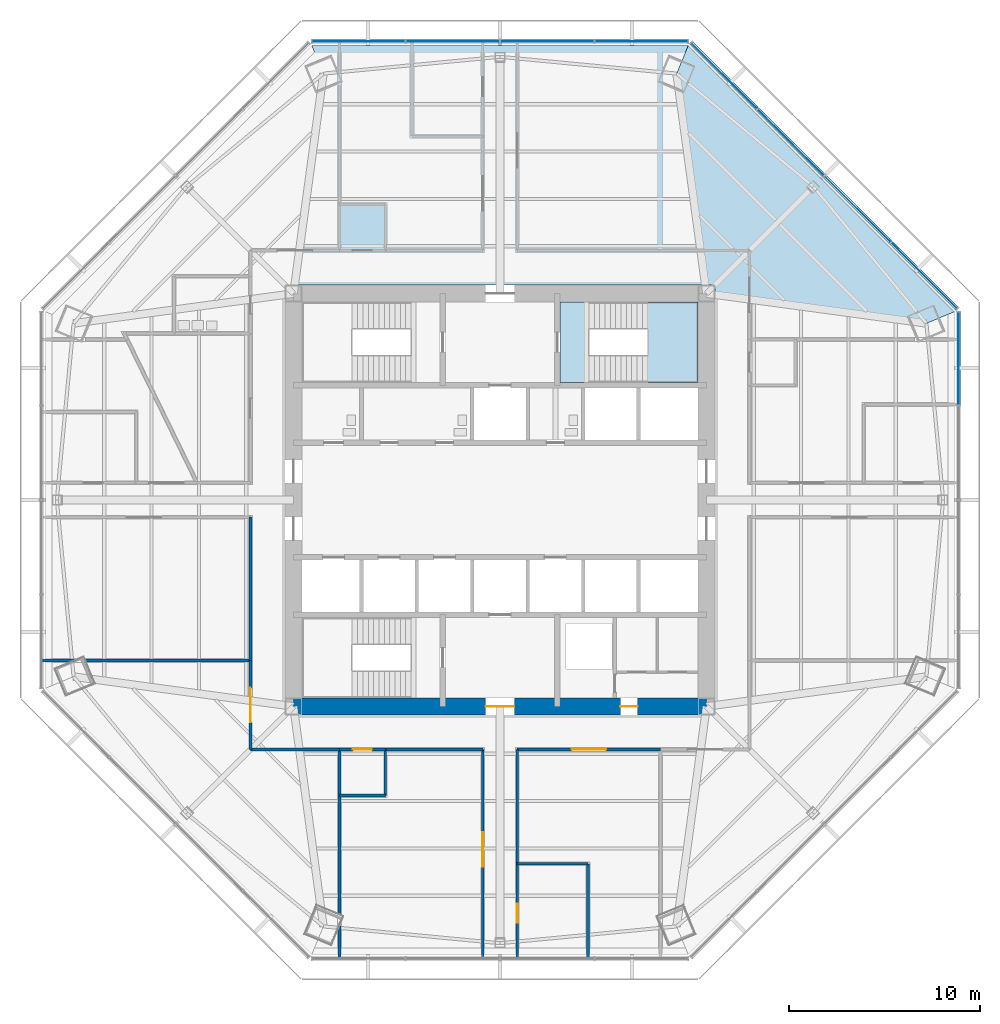
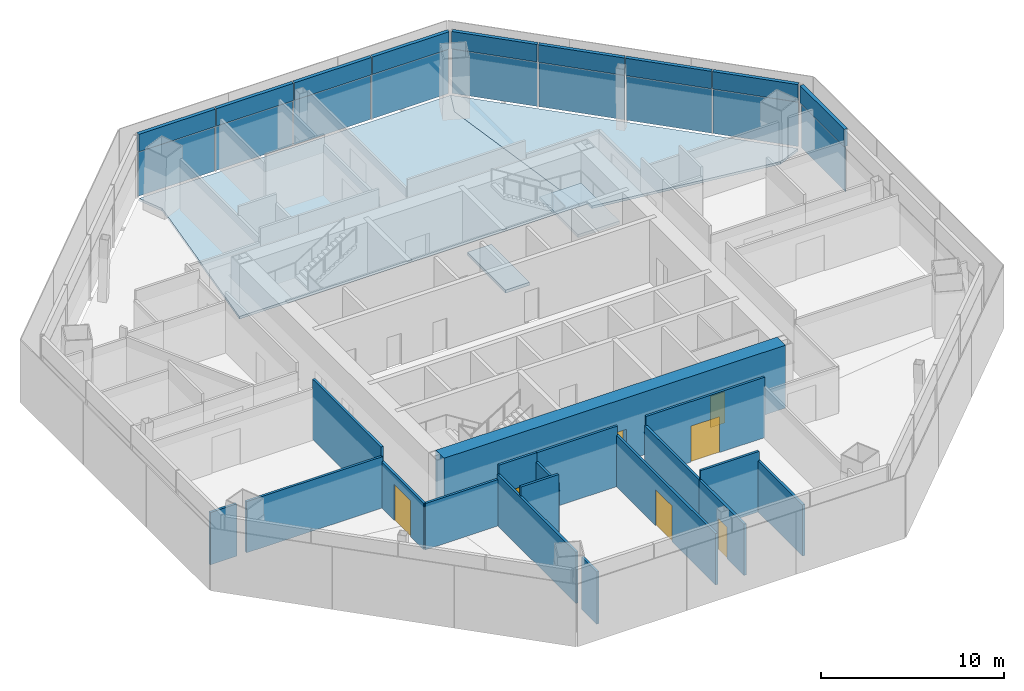
# One storey, part 8 of 14: 18 plates, 18 walls, 7 doors, 4 slabs, 7 openings, 4 elements without a shape of their own.
"""IFC4 building model written with IfcOpenShell, lengths in metres."""

from ifc_helpers import new_model, si_unit, direction, frame, frame_2d, origin, origin_2d, place, context, subcontext, project, spatial, polyline, rectangle, outline, extrude, source, transform, mapped, material, layer, layer_set, type_object, type_shapes, element, fill, aggregate, save


model = new_model("IFC4")

# Units and contexts
model_context = context("Model", 3, precision=1e-05, world=origin(), true_north=direction((0.0, 1.0)))
body_context = subcontext(model_context, "Body", "Model", "MODEL_VIEW")
ifc_project = project(units=[si_unit("LENGTHUNIT", "METRE"), si_unit("AREAUNIT", "SQUARE_METRE"), si_unit("VOLUMEUNIT", "CUBIC_METRE"), si_unit("PLANEANGLEUNIT", "RADIAN"), si_unit("MASSUNIT", "GRAM", prefix="KILO")], contexts=[model_context])

# Site, building, storey
site_placement = place(None, origin())
site = spatial("IfcSite", under=ifc_project, at=site_placement, CompositionType="ELEMENT")
building_placement = place(site_placement, origin())
building = spatial("IfcBuilding", under=site, at=building_placement, Name="Mashrafa Tower", CompositionType="ELEMENT")
storey_placement = place(building_placement, frame((0.0, 0.0, 142.800048828125)))
storey = spatial("IfcBuildingStorey", under=building, at=storey_placement, Name="L32", CompositionType="ELEMENT", Elevation=142.800048828125)

# Slabs
ifc_material_1 = material(Name="Concrete C35/45", Category="concrete")
ifc_layer_1 = layer(ifc_material_1, 0.1650390625)
ifc_layer_set_1 = layer_set([ifc_layer_1], Name="Floor slab 165")
slab_type_1 = type_object("IfcSlabType", Name="Floor slab 165", PredefinedType="FLOOR", material=ifc_layer_set_1)
slab_1_placement = place(storey_placement, frame((0.0, 0.0, -0.1650390625)))
element("IfcSlab", 1, at=slab_1_placement, inside=storey, type_object=slab_type_1, Name="Floor slab L32 north-east bay", PredefinedType="FLOOR", context=body_context, shape_type="SweptSolid", body=[
    extrude(outline(polyline([(9.847900390625, 23.775146484375), (23.775146484375, 9.847900390625), (23.775146484375, 9.847900390625), (22.301513671875, 9.237548828125), (11.25, 10.73876953125), (11.25, 11.25), (10.73876953125, 11.25), (9.237548828125, 22.301513671875), (9.847900390625, 23.775146484375), (9.847900390625, 23.775146484375)])), origin(), (0.0, 0.0, 1.0), 0.1650390625),
])
slab_2_placement = place(storey_placement, frame((0.0, 0.0, -0.1650390625)))
element("IfcSlab", 2, at=slab_2_placement, inside=storey, type_object=slab_type_1, Name="Floor slab L32 north bay", PredefinedType="FLOOR", context=body_context, shape_type="SweptSolid", body=[
    extrude(outline(polyline([(9.847900390625, 23.775146484375), (9.237548828125, 22.301513671875), (10.73876953125, 11.25), (-10.73876953125, 11.25), (-9.237548828125, 22.301513671875), (-9.847900390625, 23.775146484375), (9.847900390625, 23.775146484375)])), origin(), (0.0, 0.0, 1.0), 0.1650390625),
])

# Stair, slabs
ifc_material_2 = material(Name="Exit stair 1400")
stair_type = type_object("IfcStairType", Name="Exit stair 1400", PredefinedType="HALF_TURN_STAIR", material=ifc_material_2)
stair_placement = place(storey_placement, origin())
stair = element("IfcStair", 3, at=stair_placement, inside=storey, type_object=stair_type, Name="Stair S2 L32", PredefinedType="HALF_TURN_STAIR")
ifc_material_3 = material(Name="Concrete C32/40", Category="concrete")
ifc_layer_2 = layer(ifc_material_3, 0.199951171875)
ifc_layer_set_2 = layer_set([ifc_layer_2], Name="Stair landing 200")
slab_type_2 = type_object("IfcSlabType", Name="Stair landing 200", PredefinedType="LANDING", material=ifc_layer_set_2)
slab_3_placement = place(storey_placement, frame((0.0, 0.0, -0.199951171875)))
slab_3 = element("IfcSlab", 4, at=slab_3_placement, type_object=slab_type_2, Name="S2 landing 1", PredefinedType="LANDING", context=body_context, shape_type="SweptSolid", body=[
    extrude(outline(polyline([(3.14990234375, 6.14990234375), (4.659912109375, 6.14990234375), (4.659912109375, 10.35009765625), (3.14990234375, 10.35009765625), (3.14990234375, 6.14990234375)])), origin(), (0.0, 0.0, 1.0), 0.199951171875),
])
slab_4_placement = place(storey_placement, frame((0.0, 0.0, 1.89990234375)))
slab_4 = element("IfcSlab", 5, at=slab_4_placement, type_object=slab_type_2, Name="S2 landing 2", PredefinedType="LANDING", context=body_context, shape_type="SweptSolid", body=[
    extrude(outline(polyline([(7.719970703125, 6.14990234375), (10.35009765625, 6.14990234375), (10.35009765625, 10.35009765625), (7.719970703125, 10.35009765625), (7.719970703125, 6.14990234375)])), origin(), (0.0, 0.0, 1.0), 0.199951171875),
])
aggregate(stair, [slab_3, slab_4])

# Curtain wall, plate
ifc_material_4 = material(Name="Unitised aluminium curtain wall", Category="aluminium")
curtain_wall_type = type_object("IfcCurtainWallType", Name="Office curtain wall, zone 2 CW-B 225 deep", PredefinedType="NOTDEFINED", material=ifc_material_4)
curtain_wall_1_placement = place(storey_placement, origin())
curtain_wall_1 = element("IfcCurtainWall", 6, at=curtain_wall_1_placement, inside=storey, type_object=curtain_wall_type, Name="Office curtain wall, zone 2 L32 east", PredefinedType="NOTDEFINED")
ifc_material_5 = material(Name="Insulated double glazing, low-e, neutral", Category="glass")
ifc_layer_3 = layer(ifc_material_5, 0.028076171875)
ifc_layer_set_3 = layer_set([ifc_layer_3], Name="Vision panel CW-B 28")
plate_type_1 = type_object("IfcPlateType", Name="Vision panel CW-B 28", PredefinedType="CURTAIN_PANEL", material=ifc_layer_set_3)
shared_shape_1 = source(origin(), body_context, "Body", "SweptSolid", [
    extrude(rectangle(XDim=4.839599609375, YDim=0.028076171875, at=origin_2d()), origin(), (0.0, 0.0, 1.0), 2.9599609375),
])
plate_1_placement = place(storey_placement, frame((23.97509765625, 7.389404296875, 0.0), z_axis=(0.0, 0.0, 1.0), x_axis=(0.0, 1.0, 0.0)))
plate_1 = element("IfcPlate", 7, at=plate_1_placement, type_object=plate_type_1, Name="CW-B vision panel 4", PredefinedType="CURTAIN_PANEL", context=body_context, shape_type="MappedRepresentation", body=[
    mapped(shared_shape_1, transform((0.0, 0.0, 0.0))),
])

# Curtain wall, plates
curtain_wall_2_placement = place(storey_placement, origin())
curtain_wall_2 = element("IfcCurtainWall", 8, at=curtain_wall_2_placement, inside=storey, type_object=curtain_wall_type, Name="Office curtain wall, zone 2 L32 north-east", PredefinedType="NOTDEFINED")
plate_2_placement = place(storey_placement, frame((22.177978515625, 11.727783203125, 0.0), z_axis=(0.0, 0.0, 1.0), x_axis=(-0.707106781187, 0.707106781187, 0.0)))
plate_2 = element("IfcPlate", 9, at=plate_2_placement, type_object=plate_type_1, Name="CW-B vision panel 1", PredefinedType="CURTAIN_PANEL", context=body_context, shape_type="MappedRepresentation", body=[
    mapped(shared_shape_1, transform((0.0, 0.0, 0.0))),
])
plate_3_placement = place(storey_placement, frame((11.727783203125, 22.177978515625, 0.0), z_axis=(0.0, 0.0, 1.0), x_axis=(-0.707106781187, 0.707106781187, 0.0)))
plate_3 = element("IfcPlate", 10, at=plate_3_placement, type_object=plate_type_1, Name="CW-B vision panel 4", PredefinedType="CURTAIN_PANEL", context=body_context, shape_type="MappedRepresentation", body=[
    mapped(shared_shape_1, transform((0.0, 0.0, 0.0))),
])

curtain_wall_3_placement = place(storey_placement, origin())
curtain_wall_3 = element("IfcCurtainWall", 11, at=curtain_wall_3_placement, inside=storey, type_object=curtain_wall_type, Name="Office curtain wall, zone 2 L32 north", PredefinedType="NOTDEFINED")
plate_4_placement = place(storey_placement, frame((7.389404296875, 23.97509765625, 0.0), z_axis=(0.0, 0.0, 1.0), x_axis=(-1.0, 0.0, 0.0)))
plate_4 = element("IfcPlate", 12, at=plate_4_placement, type_object=plate_type_1, Name="CW-B vision panel 1", PredefinedType="CURTAIN_PANEL", context=body_context, shape_type="MappedRepresentation", body=[
    mapped(shared_shape_1, transform((0.0, 0.0, 0.0))),
])
plate_5_placement = place(storey_placement, frame((-7.389404296875, 23.97509765625, 0.0), z_axis=(0.0, 0.0, 1.0), x_axis=(-1.0, 0.0, 0.0)))
plate_5 = element("IfcPlate", 13, at=plate_5_placement, type_object=plate_type_1, Name="CW-B vision panel 4", PredefinedType="CURTAIN_PANEL", context=body_context, shape_type="MappedRepresentation", body=[
    mapped(shared_shape_1, transform((0.0, 0.0, 0.0))),
])

# Plate
ifc_material_6 = material(Name="Insulated aluminium spandrel panel", Category="aluminium")
ifc_layer_4 = layer(ifc_material_6, 0.219970703125)
ifc_layer_set_4 = layer_set([ifc_layer_4], Name="Spandrel panel CW-B 220")
plate_type_2 = type_object("IfcPlateType", Name="Spandrel panel CW-B 220", PredefinedType="CURTAIN_PANEL", material=ifc_layer_set_4)
shared_shape_2 = source(origin(), body_context, "Body", "SweptSolid", [
    extrude(rectangle(XDim=4.839599609375, YDim=0.219970703125, at=origin_2d()), origin(), (0.0, 0.0, 1.0), 1.159912109375),
])
plate_6_placement = place(storey_placement, frame((23.97509765625, 7.389404296875, 3.0400390625), z_axis=(0.0, 0.0, 1.0), x_axis=(0.0, 1.0, 0.0)))
plate_6 = element("IfcPlate", 14, at=plate_6_placement, type_object=plate_type_2, Name="CW-B spandrel panel 4", PredefinedType="CURTAIN_PANEL", context=body_context, shape_type="MappedRepresentation", body=[
    mapped(shared_shape_2, transform((0.0, 0.0, 0.0))),
])

aggregate(curtain_wall_1, [plate_1, plate_6])

plate_7_placement = place(storey_placement, frame((22.177978515625, 11.727783203125, 3.0400390625), z_axis=(0.0, 0.0, 1.0), x_axis=(-0.707106781187, 0.707106781187, 0.0)))
plate_7 = element("IfcPlate", 15, at=plate_7_placement, type_object=plate_type_2, Name="CW-B spandrel panel 1", PredefinedType="CURTAIN_PANEL", context=body_context, shape_type="MappedRepresentation", body=[
    mapped(shared_shape_2, transform((0.0, 0.0, 0.0))),
])

plate_8_placement = place(storey_placement, frame((11.727783203125, 22.177978515625, 3.0400390625), z_axis=(0.0, 0.0, 1.0), x_axis=(-0.707106781187, 0.707106781187, 0.0)))
plate_8 = element("IfcPlate", 16, at=plate_8_placement, type_object=plate_type_2, Name="CW-B spandrel panel 4", PredefinedType="CURTAIN_PANEL", context=body_context, shape_type="MappedRepresentation", body=[
    mapped(shared_shape_2, transform((0.0, 0.0, 0.0))),
])

plate_9_placement = place(storey_placement, frame((7.389404296875, 23.97509765625, 3.0400390625), z_axis=(0.0, 0.0, 1.0), x_axis=(-1.0, 0.0, 0.0)))
plate_9 = element("IfcPlate", 17, at=plate_9_placement, type_object=plate_type_2, Name="CW-B spandrel panel 1", PredefinedType="CURTAIN_PANEL", context=body_context, shape_type="MappedRepresentation", body=[
    mapped(shared_shape_2, transform((0.0, 0.0, 0.0))),
])

plate_10_placement = place(storey_placement, frame((-7.389404296875, 23.97509765625, 3.0400390625), z_axis=(0.0, 0.0, 1.0), x_axis=(-1.0, 0.0, 0.0)))
plate_10 = element("IfcPlate", 18, at=plate_10_placement, type_object=plate_type_2, Name="CW-B spandrel panel 4", PredefinedType="CURTAIN_PANEL", context=body_context, shape_type="MappedRepresentation", body=[
    mapped(shared_shape_2, transform((0.0, 0.0, 0.0))),
])

shared_shape_3 = source(origin(), body_context, "Body", "SweptSolid", [
    extrude(rectangle(XDim=4.8720703125, YDim=0.028076171875, at=origin_2d()), origin(), (0.0, 0.0, 1.0), 2.9599609375),
])
type_shapes(plate_type_1, [shared_shape_1, shared_shape_3])
plate_11_placement = place(storey_placement, frame((18.698486328125, 15.20751953125, 0.0), z_axis=(0.0, 0.0, 1.0), x_axis=(-0.707106781187, 0.707106781187, 0.0)))
plate_11 = element("IfcPlate", 19, at=plate_11_placement, type_object=plate_type_1, Name="CW-B vision panel 2", PredefinedType="CURTAIN_PANEL", context=body_context, shape_type="MappedRepresentation", body=[
    mapped(shared_shape_3, transform((0.0, 0.0, 0.0))),
])

plate_12_placement = place(storey_placement, frame((15.20751953125, 18.698486328125, 0.0), z_axis=(0.0, 0.0, 1.0), x_axis=(-0.707106781187, 0.707106781187, 0.0)))
plate_12 = element("IfcPlate", 20, at=plate_12_placement, type_object=plate_type_1, Name="CW-B vision panel 3", PredefinedType="CURTAIN_PANEL", context=body_context, shape_type="MappedRepresentation", body=[
    mapped(shared_shape_3, transform((0.0, 0.0, 0.0))),
])

plate_13_placement = place(storey_placement, frame((2.468505859375, 23.97509765625, 0.0), z_axis=(0.0, 0.0, 1.0), x_axis=(-1.0, 0.0, 0.0)))
plate_13 = element("IfcPlate", 21, at=plate_13_placement, type_object=plate_type_1, Name="CW-B vision panel 2", PredefinedType="CURTAIN_PANEL", context=body_context, shape_type="MappedRepresentation", body=[
    mapped(shared_shape_3, transform((0.0, 0.0, 0.0))),
])

plate_14_placement = place(storey_placement, frame((-2.468505859375, 23.97509765625, 0.0), z_axis=(0.0, 0.0, 1.0), x_axis=(-1.0, 0.0, 0.0)))
plate_14 = element("IfcPlate", 22, at=plate_14_placement, type_object=plate_type_1, Name="CW-B vision panel 3", PredefinedType="CURTAIN_PANEL", context=body_context, shape_type="MappedRepresentation", body=[
    mapped(shared_shape_3, transform((0.0, 0.0, 0.0))),
])

shared_shape_4 = source(origin(), body_context, "Body", "SweptSolid", [
    extrude(rectangle(XDim=4.8720703125, YDim=0.219970703125, at=origin_2d()), origin(), (0.0, 0.0, 1.0), 1.159912109375),
])
type_shapes(plate_type_2, [shared_shape_2, shared_shape_4])
plate_15_placement = place(storey_placement, frame((18.698486328125, 15.20751953125, 3.0400390625), z_axis=(0.0, 0.0, 1.0), x_axis=(-0.707106781187, 0.707106781187, 0.0)))
plate_15 = element("IfcPlate", 23, at=plate_15_placement, type_object=plate_type_2, Name="CW-B spandrel panel 2", PredefinedType="CURTAIN_PANEL", context=body_context, shape_type="MappedRepresentation", body=[
    mapped(shared_shape_4, transform((0.0, 0.0, 0.0))),
])

plate_16_placement = place(storey_placement, frame((15.20751953125, 18.698486328125, 3.0400390625), z_axis=(0.0, 0.0, 1.0), x_axis=(-0.707106781187, 0.707106781187, 0.0)))
plate_16 = element("IfcPlate", 24, at=plate_16_placement, type_object=plate_type_2, Name="CW-B spandrel panel 3", PredefinedType="CURTAIN_PANEL", context=body_context, shape_type="MappedRepresentation", body=[
    mapped(shared_shape_4, transform((0.0, 0.0, 0.0))),
])

aggregate(curtain_wall_2, [plate_2, plate_7, plate_11, plate_15, plate_12, plate_16, plate_3, plate_8])

plate_17_placement = place(storey_placement, frame((2.468505859375, 23.97509765625, 3.0400390625), z_axis=(0.0, 0.0, 1.0), x_axis=(-1.0, 0.0, 0.0)))
plate_17 = element("IfcPlate", 25, at=plate_17_placement, type_object=plate_type_2, Name="CW-B spandrel panel 2", PredefinedType="CURTAIN_PANEL", context=body_context, shape_type="MappedRepresentation", body=[
    mapped(shared_shape_4, transform((0.0, 0.0, 0.0))),
])

plate_18_placement = place(storey_placement, frame((-2.468505859375, 23.97509765625, 3.0400390625), z_axis=(0.0, 0.0, 1.0), x_axis=(-1.0, 0.0, 0.0)))
plate_18 = element("IfcPlate", 26, at=plate_18_placement, type_object=plate_type_2, Name="CW-B spandrel panel 3", PredefinedType="CURTAIN_PANEL", context=body_context, shape_type="MappedRepresentation", body=[
    mapped(shared_shape_4, transform((0.0, 0.0, 0.0))),
])

aggregate(curtain_wall_3, [plate_4, plate_9, plate_13, plate_17, plate_14, plate_18, plate_5, plate_10])

# Wall, openings, doors
ifc_material_7 = material(Name="Concrete C60/75", Category="concrete")
ifc_layer_5 = layer(ifc_material_7, 0.89990234375)
ifc_layer_set_5 = layer_set([ifc_layer_5], Name="Core wall 900 C60/75")
wall_type_1 = type_object("IfcWallType", Name="Core wall 900 C60/75", PredefinedType="SOLIDWALL", material=ifc_layer_set_5)
wall_1_placement = place(storey_placement, frame((-10.800048828125, -10.800048828125, 0.0), z_axis=(0.0, 0.0, 1.0), x_axis=(1.0, 0.0, 0.0)))
wall_1 = element("IfcWall", 27, at=wall_1_placement, inside=storey, type_object=wall_type_1, Name="Core wall CW-S L32", PredefinedType="SOLIDWALL", context=body_context, shape_type="SweptSolid", body=[
    extrude(rectangle(XDim=21.60009765625, YDim=0.89990234375, at=frame_2d((10.800048828125, 0.0))), origin(), (0.0, 0.0, 1.0), 4.199951171875),
])
opening_1_placement = place(wall_1_placement, frame((10.050048828125, 0.0, 0.0)))
opening_1 = element("IfcOpeningElement", 28, at=opening_1_placement, cuts=wall_1, Name="Opening 32.027", PredefinedType="OPENING", context=body_context, shape_type="SweptSolid", body=[
    extrude(rectangle(XDim=1.5, YDim=2.10009765625, at=frame_2d((0.75, 1.050048828125))), frame((0.0, 0.4599609375, 0.0), z_axis=(0.0, -1.0, 0.0), x_axis=(1.0, 0.0, 0.0)), (0.0, 0.0, 1.0), 0.919921875),
])
opening_2_placement = place(wall_1_placement, frame((17.10009765625, 0.0, 0.0)))
opening_2 = element("IfcOpeningElement", 29, at=opening_2_placement, cuts=wall_1, Name="Opening 32.031", PredefinedType="OPENING", context=body_context, shape_type="SweptSolid", body=[
    extrude(rectangle(XDim=0.89990234375, YDim=2.10009765625, at=frame_2d((0.449951171875, 1.050048828125))), frame((0.0, 0.4599609375, 0.0), z_axis=(0.0, -1.0, 0.0), x_axis=(1.0, 0.0, 0.0)), (0.0, 0.0, 1.0), 0.919921875),
])
ifc_material_8 = material(Name="Steel door", Category="steel")
door_type_1 = type_object("IfcDoorType", Name="Lobby door pair 1500 x 2100 90 min", OperationType="DOUBLE_DOOR_SINGLE_SWING", PredefinedType="DOOR", material=ifc_material_8)
door_1_placement = place(opening_1_placement, origin())
door_1 = element("IfcDoor", 30, at=door_1_placement, inside=storey, type_object=door_type_1, Name="Fire-fighting lobby F2 door L32", OperationType="DOUBLE_DOOR_SINGLE_SWING", OverallHeight=2.10009765625, OverallWidth=1.5, PredefinedType="DOOR", context=body_context, shape_type="SweptSolid", body=[
    extrude(rectangle(XDim=1.5, YDim=2.10009765625, at=frame_2d((0.75, 1.050048828125))), frame((0.0, 0.02490234375, 0.0), z_axis=(0.0, -1.0, 0.0), x_axis=(1.0, 0.0, 0.0)), (0.0, 0.0, 1.0), 0.050048828125),
])
fill(opening_1, door_1)
ifc_material_9 = material(Name="Steel door", Category="steel")
door_type_2 = type_object("IfcDoorType", Name="Service door 900 x 2100 90 min", OperationType="USERDEFINED", PredefinedType="DOOR", material=ifc_material_9)
door_2_placement = place(opening_2_placement, frame((0.89990234375, 0.0, 0.0), z_axis=(0.0, 0.0, 1.0), x_axis=(-1.0, 0.0, 0.0)))
door_2 = element("IfcDoor", 31, at=door_2_placement, inside=storey, type_object=door_type_2, Name="Services Lobby L32 door", OperationType="SINGLE_SWING_LEFT", OverallHeight=2.10009765625, OverallWidth=0.89990234375, PredefinedType="DOOR", context=body_context, shape_type="SweptSolid", body=[
    extrude(rectangle(XDim=0.89990234375, YDim=2.10009765625, at=frame_2d((0.449951171875, 1.050048828125))), frame((0.0, 0.02490234375, 0.0), z_axis=(0.0, -1.0, 0.0), x_axis=(1.0, 0.0, 0.0)), (0.0, 0.0, 1.0), 0.050048828125),
])
fill(opening_2, door_2)

# Wall, opening, door
ifc_material_10 = material(Name="Gypsum board on steel studs", Category="steel")
ifc_layer_6 = layer(ifc_material_10, 0.14990234375)
ifc_layer_set_6 = layer_set([ifc_layer_6], Name="Corridor partition 150 1 hr")
wall_type_2 = type_object("IfcWallType", Name="Corridor partition 150 1 hr", PredefinedType="PARTITIONING", material=ifc_layer_set_6)
wall_2_placement = place(storey_placement, frame((0.89990234375, -23.958984375, 0.0), z_axis=(0.0, 0.0, 1.0), x_axis=(0.0, 1.0, 0.0)))
wall_2 = element("IfcWall", 32, at=wall_2_placement, inside=storey, type_object=wall_type_2, Name="Corridor wall L32-005", PredefinedType="PARTITIONING", context=body_context, shape_type="SweptSolid", body=[
    extrude(rectangle(XDim=4.934814453125, YDim=0.14990234375, at=frame_2d((2.46728515625, 0.0))), origin(), (0.0, 0.0, 1.0), 3.425537109375),
])
opening_3_placement = place(wall_2_placement, frame((1.849609375, 0.0, 0.0)))
opening_3 = element("IfcOpeningElement", 33, at=opening_3_placement, cuts=wall_2, Name="Opening 32.004", PredefinedType="OPENING", context=body_context, shape_type="SweptSolid", body=[
    extrude(rectangle(XDim=1.0, YDim=2.10009765625, at=frame_2d((0.5, 1.050048828125))), frame((0.0, 0.0849609375, 0.0), z_axis=(0.0, -1.0, 0.0), x_axis=(1.0, 0.0, 0.0)), (0.0, 0.0, 1.0), 0.169921875),
])
ifc_material_11 = material(Name="Timber door", Category="wood")
door_type_3 = type_object("IfcDoorType", Name="Door 1000 x 2100", OperationType="USERDEFINED", PredefinedType="DOOR", material=ifc_material_11)
door_3_placement = place(opening_3_placement, frame((1.0, 0.0, 0.0), z_axis=(0.0, 0.0, 1.0), x_axis=(-1.0, 0.0, 0.0)))
door_3 = element("IfcDoor", 34, at=door_3_placement, inside=storey, type_object=door_type_3, Name="Meeting Room 32-S door", OperationType="SINGLE_SWING_RIGHT", OverallHeight=2.10009765625, OverallWidth=1.0, PredefinedType="DOOR", context=body_context, shape_type="SweptSolid", body=[
    extrude(rectangle(XDim=1.0, YDim=2.10009765625, at=frame_2d((0.5, 1.050048828125))), frame((0.0, 0.02490234375, 0.0), z_axis=(0.0, -1.0, 0.0), x_axis=(1.0, 0.0, 0.0)), (0.0, 0.0, 1.0), 0.050048828125),
])
fill(opening_3, door_3)

wall_3_placement = place(storey_placement, frame((-8.40087890625, -13.050048828125, 0.0), z_axis=(0.0, 0.0, 1.0), x_axis=(1.0, 0.0, 0.0)))
wall_3 = element("IfcWall", 35, at=wall_3_placement, inside=storey, type_object=wall_type_2, Name="Corridor wall L32-010", PredefinedType="PARTITIONING", context=body_context, shape_type="SweptSolid", body=[
    extrude(rectangle(XDim=2.40185546875, YDim=0.14990234375, at=frame_2d((1.200927734375, 0.0))), origin(), (0.0, 0.0, 1.0), 4.034912109375),
])
opening_4_placement = place(wall_3_placement, frame((0.700927734375, 0.0, 0.0)))
opening_4 = element("IfcOpeningElement", 36, at=opening_4_placement, cuts=wall_3, Name="Opening 32.009", PredefinedType="OPENING", context=body_context, shape_type="SweptSolid", body=[
    extrude(rectangle(XDim=1.0, YDim=2.10009765625, at=frame_2d((0.5, 1.050048828125))), frame((0.0, 0.0849609375, 0.0), z_axis=(0.0, -1.0, 0.0), x_axis=(1.0, 0.0, 0.0)), (0.0, 0.0, 1.0), 0.169921875),
])
door_4_placement = place(opening_4_placement, frame((1.0, 0.0, 0.0), z_axis=(0.0, 0.0, 1.0), x_axis=(-1.0, 0.0, 0.0)))
door_4 = element("IfcDoor", 37, at=door_4_placement, inside=storey, type_object=door_type_3, Name="Kitchenette 32-S door", OperationType="SINGLE_SWING_RIGHT", OverallHeight=2.10009765625, OverallWidth=1.0, PredefinedType="DOOR", context=body_context, shape_type="SweptSolid", body=[
    extrude(rectangle(XDim=1.0, YDim=2.10009765625, at=frame_2d((0.5, 1.050048828125))), frame((0.0, 0.02490234375, 0.0), z_axis=(0.0, -1.0, 0.0), x_axis=(1.0, 0.0, 0.0)), (0.0, 0.0, 1.0), 0.050048828125),
])
fill(opening_4, door_4)

# Wall
wall_4_placement = place(storey_placement, frame((-6.0009765625, -13.050048828125, 0.0), z_axis=(0.0, 0.0, 1.0), x_axis=(1.0, 0.0, 0.0)))
element("IfcWall", 38, at=wall_4_placement, inside=storey, type_object=wall_type_2, Name="Corridor wall L32-022", PredefinedType="PARTITIONING", context=body_context, shape_type="SweptSolid", body=[
    extrude(rectangle(XDim=5.10107421875, YDim=0.14990234375, at=frame_2d((2.550537109375, 0.0))), origin(), (0.0, 0.0, 1.0), 4.034912109375),
])

# Wall, opening, door
wall_5_placement = place(storey_placement, frame((-0.89990234375, -13.050048828125, 0.0), z_axis=(0.0, 0.0, 1.0), x_axis=(0.0, -1.0, 0.0)))
wall_5 = element("IfcWall", 39, at=wall_5_placement, inside=storey, type_object=wall_type_2, Name="Corridor wall L32-023", PredefinedType="PARTITIONING", context=body_context, shape_type="SweptSolid", body=[
    extrude(rectangle(XDim=10.908935546875, YDim=0.14990234375, at=frame_2d((5.45458984375, 0.0))), origin(), (0.0, 0.0, 1.0), 3.425537109375),
])
opening_5_placement = place(wall_5_placement, frame((4.337646484375, 0.0, 0.0)))
opening_5 = element("IfcOpeningElement", 40, at=opening_5_placement, cuts=wall_5, Name="Opening 32.016", PredefinedType="OPENING", context=body_context, shape_type="SweptSolid", body=[
    extrude(rectangle(XDim=1.800048828125, YDim=2.39990234375, at=frame_2d((0.89990234375, 1.199951171875))), frame((0.0, 0.0849609375, 0.0), z_axis=(0.0, -1.0, 0.0), x_axis=(1.0, 0.0, 0.0)), (0.0, 0.0, 1.0), 0.169921875),
])
ifc_material_12 = material(Name="Timber door", Category="wood")
door_type_4 = type_object("IfcDoorType", Name="Door pair 1800 x 2400", OperationType="DOUBLE_DOOR_SINGLE_SWING", PredefinedType="DOOR", material=ifc_material_12)
door_5_placement = place(opening_5_placement, frame((1.800048828125, 0.0, 0.0), z_axis=(0.0, 0.0, 1.0), x_axis=(-1.0, 0.0, 0.0)))
door_5 = element("IfcDoor", 41, at=door_5_placement, inside=storey, type_object=door_type_4, Name="Office Suite 32-SW12 door", OperationType="DOUBLE_DOOR_SINGLE_SWING", OverallHeight=2.39990234375, OverallWidth=1.800048828125, PredefinedType="DOOR", context=body_context, shape_type="SweptSolid", body=[
    extrude(rectangle(XDim=1.800048828125, YDim=2.39990234375, at=frame_2d((0.89990234375, 1.199951171875))), frame((0.0, 0.02490234375, 0.0), z_axis=(0.0, -1.0, 0.0), x_axis=(1.0, 0.0, 0.0)), (0.0, 0.0, 1.0), 0.050048828125),
])
fill(opening_5, door_5)

# Wall
wall_6_placement = place(storey_placement, frame((-13.050048828125, -0.89990234375, 0.0), z_axis=(0.0, 0.0, 1.0), x_axis=(0.0, -1.0, 0.0)))
element("IfcWall", 42, at=wall_6_placement, inside=storey, type_object=wall_type_2, Name="Corridor wall L32-025", PredefinedType="PARTITIONING", context=body_context, shape_type="SweptSolid", body=[
    extrude(rectangle(XDim=7.5009765625, YDim=0.14990234375, at=frame_2d((3.75048828125, 0.0))), origin(), (0.0, 0.0, 1.0), 4.034912109375),
])

# Wall, opening, door
wall_7_placement = place(storey_placement, frame((-13.050048828125, -8.39892578125, 0.0), z_axis=(0.0, 0.0, 1.0), x_axis=(0.0, -1.0, 0.0)))
wall_7 = element("IfcWall", 43, at=wall_7_placement, inside=storey, type_object=wall_type_2, Name="Corridor wall L32-026", PredefinedType="PARTITIONING", context=body_context, shape_type="SweptSolid", body=[
    extrude(rectangle(XDim=4.651123046875, YDim=0.14990234375, at=frame_2d((2.32568359375, 0.0))), origin(), (0.0, 0.0, 1.0), 3.097900390625),
])
opening_6_placement = place(wall_7_placement, frame((1.425537109375, 0.0, 0.0)))
opening_6 = element("IfcOpeningElement", 44, at=opening_6_placement, cuts=wall_7, Name="Opening 32.018", PredefinedType="OPENING", context=body_context, shape_type="SweptSolid", body=[
    extrude(rectangle(XDim=1.800048828125, YDim=2.39990234375, at=frame_2d((0.89990234375, 1.199951171875))), frame((0.0, 0.0849609375, 0.0), z_axis=(0.0, -1.0, 0.0), x_axis=(1.0, 0.0, 0.0)), (0.0, 0.0, 1.0), 0.169921875),
])
door_6_placement = place(opening_6_placement, frame((1.800048828125, 0.0, 0.0), z_axis=(0.0, 0.0, 1.0), x_axis=(-1.0, 0.0, 0.0)))
door_6 = element("IfcDoor", 45, at=door_6_placement, inside=storey, type_object=door_type_4, Name="Office Suite 32-SW22 door", OperationType="DOUBLE_DOOR_SINGLE_SWING", OverallHeight=2.39990234375, OverallWidth=1.800048828125, PredefinedType="DOOR", context=body_context, shape_type="SweptSolid", body=[
    extrude(rectangle(XDim=1.800048828125, YDim=2.39990234375, at=frame_2d((0.89990234375, 1.199951171875))), frame((0.0, 0.02490234375, 0.0), z_axis=(0.0, -1.0, 0.0), x_axis=(1.0, 0.0, 0.0)), (0.0, 0.0, 1.0), 0.050048828125),
])
fill(opening_6, door_6)

# Walls
wall_8_placement = place(storey_placement, frame((-13.050048828125, -13.050048828125, 0.0), z_axis=(0.0, 0.0, 1.0), x_axis=(1.0, 0.0, 0.0)))
element("IfcWall", 46, at=wall_8_placement, inside=storey, type_object=wall_type_2, Name="Corridor wall L32-027", PredefinedType="PARTITIONING", context=body_context, shape_type="SweptSolid", body=[
    extrude(rectangle(XDim=4.651123046875, YDim=0.14990234375, at=frame_2d((2.32568359375, 0.0))), origin(), (0.0, 0.0, 1.0), 3.097900390625),
])
wall_9_placement = place(storey_placement, frame((0.89990234375, -19.026123046875, 0.0), z_axis=(0.0, 0.0, 1.0), x_axis=(0.0, 1.0, 0.0)))
element("IfcWall", 47, at=wall_9_placement, inside=storey, type_object=wall_type_2, Name="Corridor wall L32-028", PredefinedType="PARTITIONING", context=body_context, shape_type="SweptSolid", body=[
    extrude(rectangle(XDim=5.97607421875, YDim=0.14990234375, at=frame_2d((2.988037109375, 0.0))), origin(), (0.0, 0.0, 1.0), 3.425537109375),
])

# Wall, opening, door
wall_10_placement = place(storey_placement, frame((0.89990234375, -13.050048828125, 0.0), z_axis=(0.0, 0.0, 1.0), x_axis=(1.0, 0.0, 0.0)))
wall_10 = element("IfcWall", 48, at=wall_10_placement, inside=storey, type_object=wall_type_2, Name="Corridor wall L32-029", PredefinedType="PARTITIONING", context=body_context, shape_type="SweptSolid", body=[
    extrude(rectangle(XDim=7.5009765625, YDim=0.14990234375, at=frame_2d((3.75048828125, 0.0))), origin(), (0.0, 0.0, 1.0), 4.034912109375),
])
opening_7_placement = place(wall_10_placement, frame((2.8505859375, 0.0, 0.0)))
opening_7 = element("IfcOpeningElement", 49, at=opening_7_placement, cuts=wall_10, Name="Opening 32.019", PredefinedType="OPENING", context=body_context, shape_type="SweptSolid", body=[
    extrude(rectangle(XDim=1.800048828125, YDim=2.39990234375, at=frame_2d((0.89990234375, 1.199951171875))), frame((0.0, 0.0849609375, 0.0), z_axis=(0.0, -1.0, 0.0), x_axis=(1.0, 0.0, 0.0)), (0.0, 0.0, 1.0), 0.169921875),
])
door_7_placement = place(opening_7_placement, frame((1.800048828125, 0.0, 0.0), z_axis=(0.0, 0.0, 1.0), x_axis=(-1.0, 0.0, 0.0)))
door_7 = element("IfcDoor", 50, at=door_7_placement, inside=storey, type_object=door_type_4, Name="Office Suite 32-SE12 door", OperationType="DOUBLE_DOOR_SINGLE_SWING", OverallHeight=2.39990234375, OverallWidth=1.800048828125, PredefinedType="DOOR", context=body_context, shape_type="SweptSolid", body=[
    extrude(rectangle(XDim=1.800048828125, YDim=2.39990234375, at=frame_2d((0.89990234375, 1.199951171875))), frame((0.0, 0.02490234375, 0.0), z_axis=(0.0, -1.0, 0.0), x_axis=(1.0, 0.0, 0.0)), (0.0, 0.0, 1.0), 0.050048828125),
])
fill(opening_7, door_7)

# Walls
ifc_material_13 = material(Name="Gypsum board on steel studs", Category="steel")
ifc_layer_7 = layer(ifc_material_13, 0.14990234375)
ifc_layer_set_7 = layer_set([ifc_layer_7], Name="Partition 150")
wall_type_3 = type_object("IfcWallType", Name="Partition 150", PredefinedType="PARTITIONING", material=ifc_layer_set_7)
wall_11_placement = place(storey_placement, frame((4.60009765625, -23.95703125, 0.0), z_axis=(0.0, 0.0, 1.0), x_axis=(0.0, 1.0, 0.0)))
element("IfcWall", 51, at=wall_11_placement, inside=storey, type_object=wall_type_3, Name="Partition wall L32-042", PredefinedType="PARTITIONING", context=body_context, shape_type="SweptSolid", body=[
    extrude(rectangle(XDim=4.931884765625, YDim=0.14990234375, at=frame_2d((2.4658203125, 0.0))), origin(), (0.0, 0.0, 1.0), 3.425537109375),
])
wall_12_placement = place(storey_placement, frame((4.60009765625, -19.025146484375, 0.0), z_axis=(0.0, 0.0, 1.0), x_axis=(-1.0, 0.0, 0.0)))
element("IfcWall", 52, at=wall_12_placement, inside=storey, type_object=wall_type_3, Name="Partition wall L32-043", PredefinedType="PARTITIONING", context=body_context, shape_type="SweptSolid", body=[
    extrude(rectangle(XDim=3.7001953125, YDim=0.14990234375, at=frame_2d((1.85009765625, 0.0))), origin(), (0.0, 0.0, 1.0), 4.034912109375),
])
wall_13_placement = place(storey_placement, frame((-8.39990234375, -15.449951171875, 0.0), z_axis=(0.0, 0.0, 1.0), x_axis=(1.0, 0.0, 0.0)))
element("IfcWall", 53, at=wall_13_placement, inside=storey, type_object=wall_type_3, Name="Partition wall L32-054", PredefinedType="PARTITIONING", context=body_context, shape_type="SweptSolid", body=[
    extrude(rectangle(XDim=2.39990234375, YDim=0.14990234375, at=frame_2d((1.199951171875, 0.0))), origin(), (0.0, 0.0, 1.0), 4.034912109375),
])
wall_14_placement = place(storey_placement, frame((-6.0, -15.449951171875, 0.0), z_axis=(0.0, 0.0, 1.0), x_axis=(0.0, 1.0, 0.0)))
element("IfcWall", 54, at=wall_14_placement, inside=storey, type_object=wall_type_3, Name="Partition wall L32-055", PredefinedType="PARTITIONING", context=body_context, shape_type="SweptSolid", body=[
    extrude(rectangle(XDim=2.39990234375, YDim=0.14990234375, at=frame_2d((1.199951171875, 0.0))), origin(), (0.0, 0.0, 1.0), 3.425537109375),
])
wall_15_placement = place(storey_placement, frame((-8.39990234375, -13.050048828125, 0.0), z_axis=(0.0, 0.0, 1.0), x_axis=(0.0, -1.0, 0.0)))
element("IfcWall", 55, at=wall_15_placement, inside=storey, type_object=wall_type_3, Name="Partition wall L32-056", PredefinedType="PARTITIONING", context=body_context, shape_type="SweptSolid", body=[
    extrude(rectangle(XDim=8.62109375, YDim=0.14990234375, at=frame_2d((4.310546875, 0.0))), origin(), (0.0, 0.0, 1.0), 3.425537109375),
])
for number, where, z_axis, x_axis, name in (
    (56, (-8.39990234375, -22.288818359375, 0.0), (0.0, 0.0, 1.0), (0.0, -1.0, 0.0), "Partition wall L32-064"),
    (57, (-23.95703125, -8.39990234375, 0.0), (0.0, 0.0, 1.0), (1.0, 0.0, 0.0), "Partition wall L32-065"),
):
    element("IfcWall", number, at=place(storey_placement, frame(where, z_axis=z_axis, x_axis=x_axis)), inside=storey, type_object=wall_type_3, Name=name, PredefinedType="PARTITIONING", context=body_context, shape_type="SweptSolid", body=[
        extrude(rectangle(XDim=1.668212890625, YDim=0.14990234375, at=frame_2d((0.833984375, 0.0))), origin(), (0.0, 0.0, 1.0), 3.499267578125),
    ])
wall_16_placement = place(storey_placement, frame((-21.671142578125, -8.39990234375, 0.0), z_axis=(0.0, 0.0, 1.0), x_axis=(1.0, 0.0, 0.0)))
element("IfcWall", 58, at=wall_16_placement, inside=storey, type_object=wall_type_3, Name="Partition wall L32-066", PredefinedType="PARTITIONING", context=body_context, shape_type="SweptSolid", body=[
    extrude(rectangle(XDim=8.62109375, YDim=0.14990234375, at=frame_2d((4.310546875, 0.0))), origin(), (0.0, 0.0, 1.0), 3.425537109375),
])

save(model, "model.ifc")
